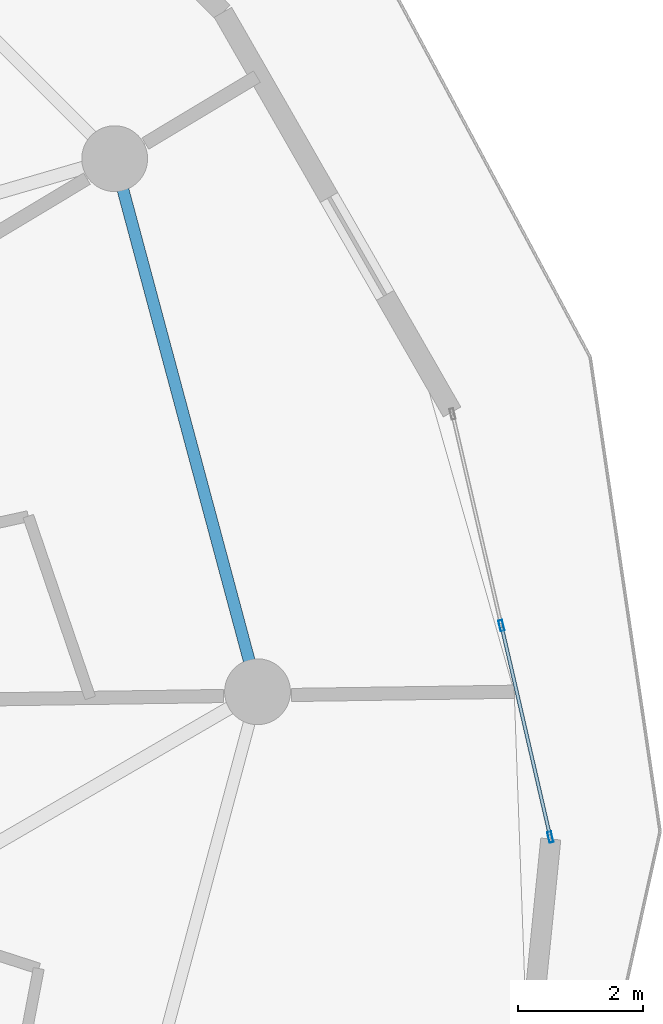
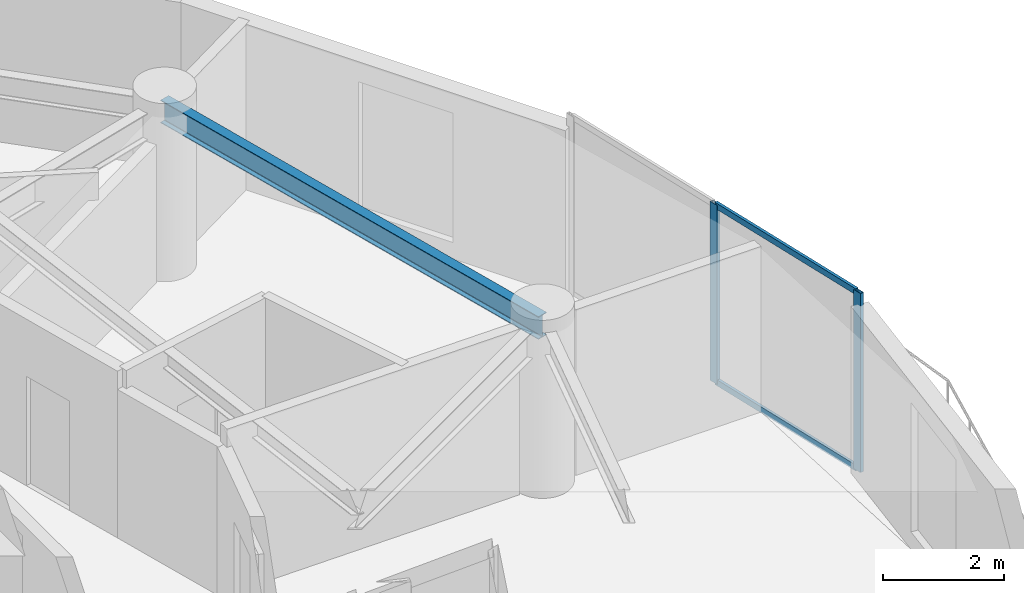
# One storey, part 13 of 25: 4 members, 1 beam, 1 element without a shape of its own.
"""IFC4 building model written with IfcOpenShell, lengths in metres."""

from ifc_helpers import new_model, si_unit, direction, frame, origin, origin_2d, place, context, subcontext, project, spatial, hollow_rectangle, i_section, extrude, source, transform, mapped, material, layer, layer_set, material_profile, profile_set, type_object, element, aggregate, save


model = new_model("IFC4")

# Units and contexts
model_context = context("Model", 3, precision=1e-05, world=origin(), true_north=direction((0.0, 1.0)))
body_context = subcontext(model_context, "Body", "Model", "MODEL_VIEW")
ifc_project = project(units=[si_unit("LENGTHUNIT", "METRE"), si_unit("AREAUNIT", "SQUARE_METRE"), si_unit("VOLUMEUNIT", "CUBIC_METRE"), si_unit("PLANEANGLEUNIT", "RADIAN"), si_unit("MASSUNIT", "GRAM", prefix="KILO")], contexts=[model_context])

# Site, building, storey
site_placement = place(None, origin())
site = spatial("IfcSite", under=ifc_project, at=site_placement, CompositionType="ELEMENT")
building_placement = place(site_placement, origin())
building = spatial("IfcBuilding", under=site, at=building_placement, Name="Solvirekh Grand Hotel", CompositionType="ELEMENT")
storey_placement = place(building_placement, frame((0.0, 0.0, 124.199951171875)))
storey = spatial("IfcBuildingStorey", under=building, at=storey_placement, Name="L31", CompositionType="ELEMENT", Elevation=124.199951171875)

# Beam
ifc_material_1 = material(Name="Steel S355", Category="steel")
ifc_material_profile_1 = material_profile(ifc_material_1, i_section(OverallWidth=0.18994140625, OverallDepth=0.45703125, WebThickness=0.009033203125, FlangeThickness=0.013916015625, FilletRadius=0.012939453125, at=origin_2d()), Name="W460X74")
ifc_profile_set_1 = profile_set([ifc_material_profile_1], Name="Steel S355")
beam_type = type_object("IfcBeamType", Name="Spandrel_Ring_W460", PredefinedType="SPANDREL", material=ifc_profile_set_1)
beam_placement = place(storey_placement, frame((17.0, 0.0, 3.1220703125), z_axis=(-0.258872908946, 0.965911391906, 0.0), x_axis=(-0.965911391906, -0.258872908946, 0.0)))
element("IfcBeam", 1, at=beam_placement, inside=storey, type_object=beam_type, Name="L31 perimeter spandrel beam 1", PredefinedType="SPANDREL", context=body_context, shape_type="SweptSolid", body=[
    extrude(i_section(OverallWidth=0.18994140625, OverallDepth=0.45703125, WebThickness=0.009033203125, FlangeThickness=0.013916015625, FilletRadius=0.012939453125, at=origin_2d()), origin(), (0.0, 0.0, 1.0), 8.800048828125),
])

# Curtain wall, members
ifc_material_2 = material(Name="Anodized Bronze Aluminium 6063-T6", Category="aluminium")
ifc_layer = layer(ifc_material_2, 0.175048828125)
ifc_layer_set = layer_set([ifc_layer], Name="Anodized Bronze Aluminium 6063-T6")
curtain_wall_type = type_object("IfcCurtainWallType", Name="CW_Sys3_MidZoneFlushBronzeCW", PredefinedType="NOTDEFINED", material=ifc_layer_set)
curtain_wall_placement = place(storey_placement, origin())
curtain_wall = element("IfcCurtainWall", 2, at=curtain_wall_placement, inside=storey, type_object=curtain_wall_type, Name="L31 unitised bronze-glass curtain wall CW-L31-C03", PredefinedType="NOTDEFINED")
ifc_material_profile_2 = material_profile(ifc_material_2, hollow_rectangle(XDim=0.06494140625, YDim=0.175048828125, WallThickness=0.0048828125, at=origin_2d()), Name="ALU RHS 175X65X5")
ifc_profile_set_2 = profile_set([ifc_material_profile_2], Name="Anodized Bronze Aluminium 6063-T6")
member_type_1 = type_object("IfcMemberType", Name="CWMullion_Sys3", PredefinedType="MULLION", material=ifc_profile_set_2)
shared_shape_1 = source(origin(), body_context, "Body", "SweptSolid", [
    extrude(hollow_rectangle(XDim=0.06494140625, YDim=0.175048828125, WallThickness=0.0048828125, at=origin_2d()), origin(), (0.0, 0.0, 1.0), 3.60009765625),
])
member_1_placement = place(storey_placement, frame((21.668701171875, -2.3173828125, 0.0), z_axis=(0.0, 0.0, 1.0), x_axis=(-0.974313976399, -0.225193861801, 0.0)))
member_1 = element("IfcMember", 3, at=member_1_placement, type_object=member_type_1, Name="U03 mullion 1", PredefinedType="MULLION", context=body_context, shape_type="MappedRepresentation", body=[
    mapped(shared_shape_1, transform((0.0, 0.0, 0.0), x_axis=(1.0, 0.0, 0.0), y_axis=(0.0, 1.0, 0.0), z_axis=(0.0, 0.0, 1.0), scale=1.0)),
])
member_2_placement = place(storey_placement, frame((20.888916015625, 1.055908203125, 0.0), z_axis=(0.0, 0.0, 1.0), x_axis=(-0.974313976399, -0.225193861801, 0.0)))
member_2 = element("IfcMember", 4, at=member_2_placement, type_object=member_type_1, Name="U03 mullion 2", PredefinedType="MULLION", context=body_context, shape_type="MappedRepresentation", body=[
    mapped(shared_shape_1, transform((0.0, 0.0, 0.0), x_axis=(1.0, 0.0, 0.0), y_axis=(0.0, 1.0, 0.0), z_axis=(0.0, 0.0, 1.0), scale=1.0)),
])
ifc_material_profile_3 = material_profile(ifc_material_2, hollow_rectangle(XDim=0.054931640625, YDim=0.1201171875, WallThickness=0.00390625, at=origin_2d()), Name="ALU RHS 120X55X4")
ifc_profile_set_3 = profile_set([ifc_material_profile_3], Name="Anodized Bronze Aluminium 6063-T6")
member_type_2 = type_object("IfcMemberType", Name="CWTransom_Sys3", PredefinedType="USERDEFINED", material=ifc_profile_set_3)
shared_shape_2 = source(origin(), body_context, "Body", "SweptSolid", [
    extrude(hollow_rectangle(XDim=0.054931640625, YDim=0.1201171875, WallThickness=0.00390625, at=origin_2d()), origin(), (0.0, 0.0, 1.0), 3.3974609375),
])
member_3_placement = place(storey_placement, frame((21.661376953125, -2.28564453125, 0.027587890625), z_axis=(-0.225216380684, 0.97430877132, 0.0), x_axis=(-0.97430877132, -0.225216380684, 0.0)))
member_3 = element("IfcMember", 5, at=member_3_placement, type_object=member_type_2, Name="U03 transom 1.1", ObjectType="TRANSOM", PredefinedType="USERDEFINED", context=body_context, shape_type="MappedRepresentation", body=[
    mapped(shared_shape_2, transform((0.0, 0.0, 0.0), x_axis=(1.0, 0.0, 0.0), y_axis=(0.0, 1.0, 0.0), z_axis=(0.0, 0.0, 1.0), scale=1.0)),
])
member_4_placement = place(storey_placement, frame((21.661376953125, -2.28564453125, 3.572509765625), z_axis=(-0.225216380684, 0.97430877132, 0.0), x_axis=(-0.97430877132, -0.225216380684, 0.0)))
member_4 = element("IfcMember", 6, at=member_4_placement, type_object=member_type_2, Name="U03 transom 1.2", ObjectType="TRANSOM", PredefinedType="USERDEFINED", context=body_context, shape_type="MappedRepresentation", body=[
    mapped(shared_shape_2, transform((0.0, 0.0, 0.0), x_axis=(1.0, 0.0, 0.0), y_axis=(0.0, 1.0, 0.0), z_axis=(0.0, 0.0, 1.0), scale=1.0)),
])
aggregate(curtain_wall, [member_1, member_2, member_3, member_4])

save(model, "model.ifc")
